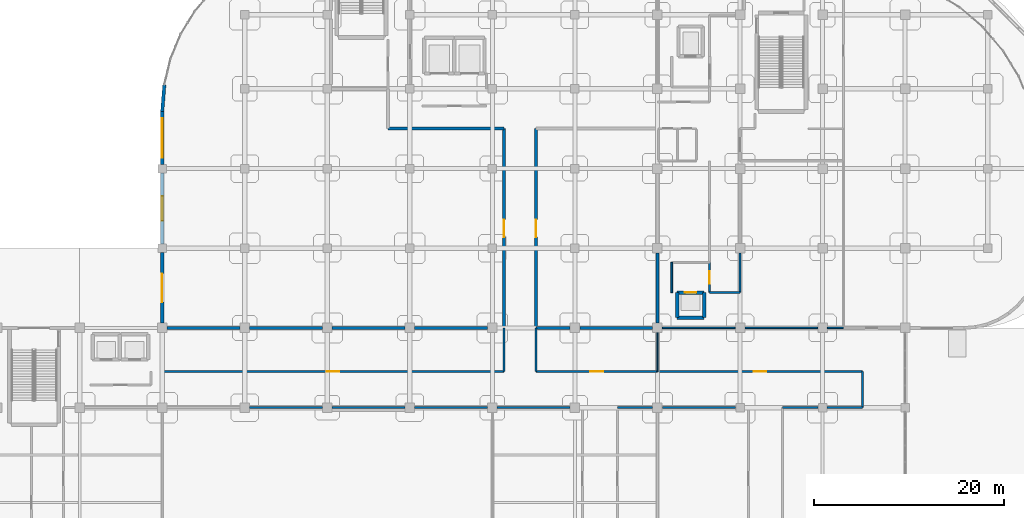
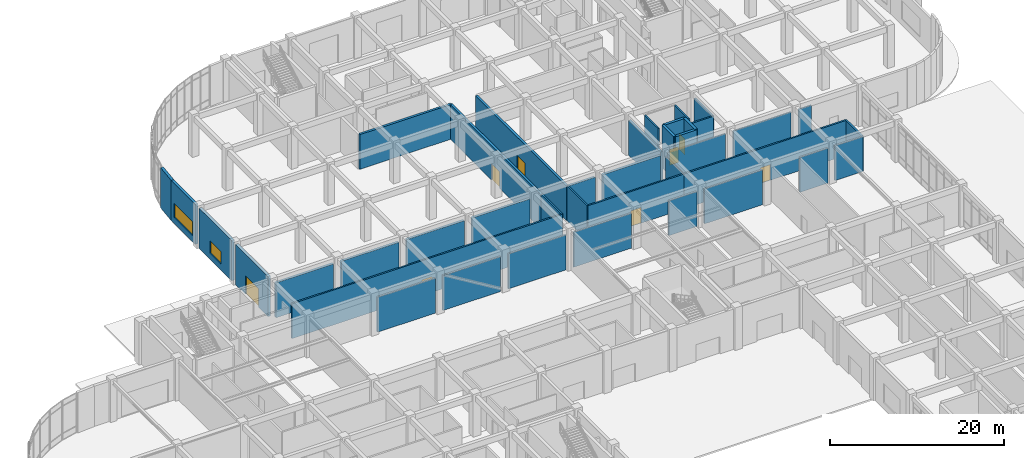
# One storey, part 66 of 82: 40 walls, 8 doors, 2 windows, 10 openings.
"""IFC4 building model written with IfcOpenShell, lengths in metres."""

import ifcopenshell
import ifcopenshell.guid

model = None  # the IFC model being written
_history = None  # IfcOwnerHistory: only IFC2X3 demands one
_inside = {}  # id of a spatial element -> (the spatial element, [elements in it])
_under = {}  # id of a project, library or spatial element -> (it, [spatial elements below it])
_declared = {}  # id of a project -> (the project, [libraries it declares])
_typed = {}  # id of a type object -> (the type object, [elements of that type])
_made_of = {}  # id of a material, layer set ... -> (it, [elements and type objects made of it])


def new_model(schema):
    """Start an empty IFC model of exactly this schema.

    Asked for "IFC4X3", IfcOpenShell would pick the latest addendum, in which some entities
    have other attributes; the version numbers below select the first issue.
    IFC2X3 requires an IfcOwnerHistory on every rooted entity: one is made here for all.
    """
    global model, _history
    if schema == "IFC4X3":
        model = ifcopenshell.file(schema_version=(4, 3, 0, 0))
    else:
        model = ifcopenshell.file(schema=schema)
    _inside.clear()
    _under.clear()
    _declared.clear()
    _typed.clear()
    _made_of.clear()
    _history = None
    if model.schema == "IFC2X3":
        org = make("IfcOrganization", Name="unknown")
        user = make(
            "IfcPersonAndOrganization",
            ThePerson=make("IfcPerson", FamilyName="unknown"),
            TheOrganization=org,
        )
        app = make(
            "IfcApplication",
            ApplicationDeveloper=org,
            Version="unknown",
            ApplicationFullName="unknown",
            ApplicationIdentifier="unknown",
        )
        _history = make(
            "IfcOwnerHistory",
            OwningUser=user,
            OwningApplication=app,
            ChangeAction="ADDED",
            CreationDate=0,
        )
    return model


def make(cls, **values):
    """One entity of the class cls with the attributes given. An attribute that is None is left unset."""
    return model.create_entity(
        cls, **{name: value for name, value in values.items() if value is not None}
    )


def rooted(cls, **values):
    """An entity with a GlobalId (a new one), such as an element, a storey or a relation."""
    return make(cls, GlobalId=ifcopenshell.guid.new(), OwnerHistory=_history, **values)


def si_unit(unit_type, name, prefix=None):
    """IfcSIUnit, for example si_unit("LENGTHUNIT", "METRE", prefix="MILLI")."""
    return make("IfcSIUnit", UnitType=unit_type, Prefix=prefix, Name=name)


def derived_unit(unit_type, elements):
    """IfcDerivedUnit: a product of units, each with its exponent."""
    return make(
        "IfcDerivedUnit",
        Elements=[
            make("IfcDerivedUnitElement", Unit=unit, Exponent=power)
            for unit, power in elements
        ],
        UnitType=unit_type,
    )


def assignment(units):
    """IfcUnitAssignment: the units of a project."""
    return None if units is None else make("IfcUnitAssignment", Units=units)


def point(xyz):
    """IfcCartesianPoint."""
    return None if xyz is None else make("IfcCartesianPoint", Coordinates=xyz)


def direction(xyz):
    """IfcDirection."""
    return None if xyz is None else make("IfcDirection", DirectionRatios=xyz)


def frame(location, z_axis=None, x_axis=None):
    """IfcAxis2Placement3D, a coordinate frame: its origin and axes. An axis left out is left unset."""
    return make(
        "IfcAxis2Placement3D",
        Location=point(location),
        Axis=direction(z_axis),
        RefDirection=direction(x_axis),
    )


def frame_2d(location, x_axis=None):
    """IfcAxis2Placement2D, a coordinate frame in the plane: its origin and x axis."""
    return make(
        "IfcAxis2Placement2D", Location=point(location), RefDirection=direction(x_axis)
    )


def origin():
    """The frame at (0, 0, 0) with its axes left unset."""
    return frame((0.0, 0.0, 0.0))


def place(relative_to, where):
    """IfcLocalPlacement: puts the frame where relative to a parent placement (None: the world)."""
    return make(
        "IfcLocalPlacement", PlacementRelTo=relative_to, RelativePlacement=where
    )


def context(
    kind, dimensions, precision=None, world=None, true_north=None, identifier=None
):
    """IfcGeometricRepresentationContext, for example the 3D "Model" context."""
    return make(
        "IfcGeometricRepresentationContext",
        ContextIdentifier=identifier,
        ContextType=kind,
        CoordinateSpaceDimension=dimensions,
        Precision=precision,
        WorldCoordinateSystem=world,
        TrueNorth=true_north,
    )


def subcontext(parent, identifier, kind, view, scale=None):
    """IfcGeometricRepresentationSubContext, for example "Body" below "Model"."""
    return make(
        "IfcGeometricRepresentationSubContext",
        ContextIdentifier=identifier,
        ContextType=kind,
        ParentContext=parent,
        TargetScale=scale,
        TargetView=view,
    )


def project(units=None, contexts=None):
    """IfcProject with its units and contexts."""
    return rooted(
        "IfcProject",
        Name="project",
        RepresentationContexts=contexts,
        UnitsInContext=assignment(units),
    )


def spatial(cls, under=None, at=None, **own):
    """A site, building, storey or space (cls), placed at a placement, below another one or the project."""
    s = rooted(cls, ObjectPlacement=at, **own)
    if under is not None:
        _under.setdefault(under.id(), (under, []))[1].append(s)
    return s


def profile(cls, at=None, kind="AREA", **sizes):
    """A parametric profile (cls). Its sizes go by their IFC names, for example OverallWidth=200.0."""
    return make(cls, ProfileType=kind, Position=at, **sizes)


def rectangle(**sizes):
    """IfcRectangleProfileDef."""
    return profile("IfcRectangleProfileDef", **sizes)


def extrude(swept, where, along, depth):
    """IfcExtrudedAreaSolid: the profile swept, set in the frame where, extruded along a direction by depth."""
    return make(
        "IfcExtrudedAreaSolid",
        SweptArea=swept,
        Position=where,
        ExtrudedDirection=direction(along),
        Depth=depth,
    )


def shape(context_of_items, identifier, shape_type, items):
    """IfcShapeRepresentation: the items that make up one representation, for example the "Body"."""
    return make(
        "IfcShapeRepresentation",
        ContextOfItems=context_of_items,
        RepresentationIdentifier=identifier,
        RepresentationType=shape_type,
        Items=items,
    )


def material(Name=None, Category=None):
    """IfcMaterial."""
    return make("IfcMaterial", Name=Name, Category=Category)


def layer(
    of_material, thickness, ventilated=None, Name=None, Category=None, Priority=None
):
    """IfcMaterialLayer: one layer of a wall or slab, of a material (None: an air gap)."""
    return make(
        "IfcMaterialLayer",
        Material=of_material,
        LayerThickness=thickness,
        IsVentilated=ventilated,
        Name=Name,
        Category=Category,
        Priority=Priority,
    )


def layer_set(layers, Name=None):
    """IfcMaterialLayerSet."""
    return make("IfcMaterialLayerSet", MaterialLayers=layers, LayerSetName=Name)


def made_of(thing, what):
    """Note that an element or type object is made of a material, layer set ...; save() writes the relation."""
    if what is not None:
        _made_of.setdefault(what.id(), (what, []))[1].append(thing)
    return thing


def type_object(cls, material=None, **own):
    """A type object (cls), such as IfcWallType, which elements share."""
    return made_of(rooted(cls, **own), material)


def element(
    cls,
    number,
    at=None,
    inside=None,
    cuts=None,
    type_object=None,
    material=None,
    context=None,
    identifier="Body",
    shape_type=None,
    held_by="IfcProductDefinitionShape",
    body=None,
    shapes=None,
    **own,
):
    """One element of the class cls, such as IfcWall. Its Tag is "e" and its number.

    at: its placement. inside: the storey or other place that contains it. cuts: it is an
    opening in that element (IfcRelVoidsElement). A single representation is given by context,
    identifier, shape_type and body (its items); several are given by shapes. held_by: the class
    of the entity that holds the representations. save() writes the other relations.
    """
    e = rooted(cls, Tag="e%d" % number, ObjectPlacement=at, **own)
    if body is not None:
        shapes = [shape(context, identifier, shape_type, body)]
    if shapes is not None:
        e.Representation = make(held_by, Representations=shapes)
    if inside is not None:
        _inside.setdefault(inside.id(), (inside, []))[1].append(e)
    if cuts is not None:
        rooted(
            "IfcRelVoidsElement", RelatingBuildingElement=cuts, RelatedOpeningElement=e
        )
    if type_object is not None:
        _typed.setdefault(type_object.id(), (type_object, []))[1].append(e)
    return made_of(e, material)


def fill(opening, filler):
    """IfcRelFillsElement: the door or window that sits in an opening."""
    return rooted(
        "IfcRelFillsElement",
        RelatingOpeningElement=opening,
        RelatedBuildingElement=filler,
    )


def aggregate(whole, parts):
    """IfcRelAggregates: a whole, such as a stair, and the parts it consists of."""
    return rooted("IfcRelAggregates", RelatingObject=whole, RelatedObjects=parts)


def save(model, path):
    """Write the relations noted so far, then the file.

    IfcRelAggregates (storeys below a building ...), IfcRelContainedInSpatialStructure (elements
    in a storey), IfcRelDefinesByType, IfcRelAssociatesMaterial and IfcRelDeclares: one each for
    every whole, place, type object, material and project.
    """
    for whole, parts in _under.values():
        aggregate(whole, parts)
    for where, things in _inside.values():
        rooted(
            "IfcRelContainedInSpatialStructure",
            RelatedElements=things,
            RelatingStructure=where,
        )
    for kind, things in _typed.values():
        rooted("IfcRelDefinesByType", RelatedObjects=things, RelatingType=kind)
    for what, things in _made_of.values():
        rooted("IfcRelAssociatesMaterial", RelatedObjects=things, RelatingMaterial=what)
    for by, libraries in _declared.values():
        rooted("IfcRelDeclares", RelatingContext=by, RelatedDefinitions=libraries)
    model.write(path)


model = new_model("IFC4")

# Units and contexts
model_context = context("Model", 3, precision=1e-05, world=origin(), true_north=direction((0.0, 1.0)))
body_context = subcontext(model_context, "Body", "Model", "MODEL_VIEW")
ifc_project = project(units=[si_unit("LENGTHUNIT", "METRE"), si_unit("AREAUNIT", "SQUARE_METRE"), si_unit("VOLUMEUNIT", "CUBIC_METRE"), si_unit("PLANEANGLEUNIT", "RADIAN"), si_unit("MASSUNIT", "GRAM", prefix="KILO"), derived_unit("THERMALTRANSMITTANCEUNIT", [(si_unit("MASSUNIT", "GRAM", prefix="KILO"), 1), (si_unit("TIMEUNIT", "SECOND"), -3), (si_unit("THERMODYNAMICTEMPERATUREUNIT", "KELVIN"), -1)])], contexts=[model_context])

# Site, building, storey
site_placement = place(None, origin())
site = spatial("IfcSite", under=ifc_project, at=site_placement, CompositionType="ELEMENT")
building_placement = place(site_placement, origin())
building = spatial("IfcBuilding", under=site, at=building_placement, Name="Qinzheling Arcade Emporium", CompositionType="ELEMENT")
storey_placement = place(building_placement, origin())
storey = spatial("IfcBuildingStorey", under=building, at=storey_placement, Name="L01", CompositionType="ELEMENT", Elevation=0.0)

# Wall, opening, door
ifc_material_1 = material(Name="Double-stud acoustic gypsum board partition")
ifc_layer_1 = layer(ifc_material_1, 0.215087890625, Name="Double-stud acoustic gypsum board partition")
ifc_layer_set_1 = layer_set([ifc_layer_1], Name="Double-stud acoustic gypsum board partition")
wall_type_1 = type_object("IfcWallType", Name="Acoustic Corridor Partition Wall 215", PredefinedType="PARTITIONING", material=ifc_layer_set_1)
wall_1_placement = place(storey_placement, frame((109.89990234375, 80.699951171875, 0.0), z_axis=(0.0, 0.0, 1.0), x_axis=(0.0, -1.0, 0.0)))
wall_1 = element("IfcWall", 1, at=wall_1_placement, inside=storey, type_object=wall_type_1, Name="Interior Wall WL-L01-INT-0101", PredefinedType="PARTITIONING", context=body_context, shape_type="SweptSolid", body=[
    extrude(rectangle(XDim=3.169921875, YDim=0.215087890625, at=frame_2d((1.5849609375, 0.0))), origin(), (0.0, 0.0, 1.0), 5.659912109375),
])
opening_1_placement = place(wall_1_placement, frame((0.909912109375, 0.0, 0.0)))
opening_1 = element("IfcOpeningElement", 2, at=opening_1_placement, cuts=wall_1, Name="Opening FD05", PredefinedType="OPENING", context=body_context, shape_type="SweptSolid", body=[
    extrude(rectangle(XDim=1.35009765625, YDim=2.199951171875, at=frame_2d((0.675048828125, 1.10009765625))), frame((0.0, 0.11767578125, 0.0), z_axis=(0.0, -1.0, 0.0), x_axis=(1.0, 0.0, 0.0)), (0.0, 0.0, 1.0), 0.235107421875),
])
ifc_material_2 = material(Name="Class B fire-rated stainless-clad door")
door_type_1 = type_object("IfcDoorType", Name="Kitchen Fire-Rated Service Door 1350x2200", OperationType="NOTDEFINED", PredefinedType="DOOR", material=ifc_material_2)
door_1_placement = place(opening_1_placement, origin())
door_1 = element("IfcDoor", 3, at=door_1_placement, inside=storey, type_object=door_type_1, Name="FD05 Interior Door DR-L01-INT-0031", OperationType="SINGLE_SWING_LEFT", OverallHeight=2.199951171875, OverallWidth=1.35009765625, PredefinedType="DOOR", context=body_context, shape_type="SweptSolid", body=[
    extrude(rectangle(XDim=1.35009765625, YDim=2.199951171875, at=frame_2d((0.675048828125, 1.10009765625))), frame((0.0, 0.02490234375, 0.0), z_axis=(0.0, -1.0, 0.0), x_axis=(1.0, 0.0, 0.0)), (0.0, 0.0, 1.0), 0.050048828125),
])
fill(opening_1, door_1)

# Walls
for number, where, z_axis, x_axis, name in (
    (4, (86.489990234375, 65.39990234375, 0.0), (0.0, 0.0, 1.0), (-1.0, 0.0, 0.0), "Interior Wall WL-L01-INT-0147"),
    (5, (77.7900390625, 65.39990234375, 0.0), (0.0, 0.0, 1.0), (-1.0, 0.0, 0.0), "Interior Wall WL-L01-INT-0148"),
):
    element("IfcWall", number, at=place(storey_placement, frame(where, z_axis=z_axis, x_axis=x_axis)), inside=storey, type_object=wall_type_1, Name=name, PredefinedType="PARTITIONING", context=body_context, shape_type="SweptSolid", body=[
        extrude(rectangle(XDim=7.679931640625, YDim=0.215087890625, at=frame_2d((3.83984375, 0.0))), origin(), (0.0, 0.0, 1.0), 4.909912109375),
    ])
wall_2_placement = place(storey_placement, frame((69.090087890625, 65.39990234375, 0.0), z_axis=(0.0, 0.0, 1.0), x_axis=(-1.0, 0.0, 0.0)))
element("IfcWall", 6, at=wall_2_placement, inside=storey, type_object=wall_type_1, Name="Interior Wall WL-L01-INT-0149", PredefinedType="PARTITIONING", context=body_context, shape_type="SweptSolid", body=[
    extrude(rectangle(XDim=7.68017578125, YDim=0.215087890625, at=frame_2d((3.840087890625, 0.0))), origin(), (0.0, 0.0, 1.0), 4.909912109375),
])
wall_3_placement = place(storey_placement, frame((91.60009765625, 73.800048828125, 0.0), z_axis=(0.0, 0.0, 1.0), x_axis=(0.0, -1.0, 0.0)))
element("IfcWall", 7, at=wall_3_placement, inside=storey, type_object=wall_type_1, Name="Interior Wall WL-L01-INT-0164", PredefinedType="PARTITIONING", context=body_context, shape_type="SweptSolid", body=[
    extrude(rectangle(XDim=4.60009765625, YDim=0.215087890625, at=frame_2d((2.300048828125, 0.0))), origin(), (0.0, 0.0, 1.0), 4.909912109375),
])

# Wall, opening, door
wall_4_placement = place(storey_placement, frame((91.60009765625, 69.199951171875, 0.0), z_axis=(0.0, 0.0, 1.0), x_axis=(1.0, 0.0, 0.0)))
wall_4 = element("IfcWall", 8, at=wall_4_placement, inside=storey, type_object=wall_type_1, Name="Interior Wall WL-L01-INT-0165", PredefinedType="PARTITIONING", context=body_context, shape_type="SweptSolid", body=[
    extrude(rectangle(XDim=12.7998046875, YDim=0.215087890625, at=frame_2d((6.39990234375, 0.0))), origin(), (0.0, 0.0, 1.0), 4.909912109375),
])
opening_2_placement = place(wall_4_placement, frame((5.72509765625, 0.0, 0.0)))
opening_2 = element("IfcOpeningElement", 9, at=opening_2_placement, cuts=wall_4, Name="Opening FD05", PredefinedType="OPENING", context=body_context, shape_type="SweptSolid", body=[
    extrude(rectangle(XDim=1.35009765625, YDim=2.199951171875, at=frame_2d((0.675048828125, 1.10009765625))), frame((0.0, 0.11767578125, 0.0), z_axis=(0.0, -1.0, 0.0), x_axis=(1.0, 0.0, 0.0)), (0.0, 0.0, 1.0), 0.235107421875),
])
door_2_placement = place(opening_2_placement, origin())
door_2 = element("IfcDoor", 10, at=door_2_placement, inside=storey, type_object=door_type_1, Name="FD05 Interior Door DR-L01-INT-0051", OperationType="SINGLE_SWING_RIGHT", OverallHeight=2.199951171875, OverallWidth=1.35009765625, PredefinedType="DOOR", context=body_context, shape_type="SweptSolid", body=[
    extrude(rectangle(XDim=1.35009765625, YDim=2.199951171875, at=frame_2d((0.675048828125, 1.10009765625))), frame((0.0, 0.02490234375, 0.0), z_axis=(0.0, -1.0, 0.0), x_axis=(1.0, 0.0, 0.0)), (0.0, 0.0, 1.0), 0.050048828125),
])
fill(opening_2, door_2)

wall_5_placement = place(storey_placement, frame((52.199951171875, 69.199951171875, 0.0), z_axis=(0.0, 0.0, 1.0), x_axis=(1.0, 0.0, 0.0)))
wall_5 = element("IfcWall", 11, at=wall_5_placement, inside=storey, type_object=wall_type_1, Name="Interior Wall WL-L01-INT-0166", PredefinedType="PARTITIONING", context=body_context, shape_type="SweptSolid", body=[
    extrude(rectangle(XDim=36.0, YDim=0.215087890625, at=frame_2d((18.0, 0.0))), origin(), (0.0, 0.0, 1.0), 4.909912109375),
])
opening_3_placement = place(wall_5_placement, frame((17.324951171875, 0.0, 0.0)))
opening_3 = element("IfcOpeningElement", 12, at=opening_3_placement, cuts=wall_5, Name="Opening FD05", PredefinedType="OPENING", context=body_context, shape_type="SweptSolid", body=[
    extrude(rectangle(XDim=1.35009765625, YDim=2.199951171875, at=frame_2d((0.675048828125, 1.10009765625))), frame((0.0, 0.11767578125, 0.0), z_axis=(0.0, -1.0, 0.0), x_axis=(1.0, 0.0, 0.0)), (0.0, 0.0, 1.0), 0.235107421875),
])
door_3_placement = place(opening_3_placement, origin())
door_3 = element("IfcDoor", 13, at=door_3_placement, inside=storey, type_object=door_type_1, Name="FD05 Interior Door DR-L01-INT-0052", OperationType="SINGLE_SWING_LEFT", OverallHeight=2.199951171875, OverallWidth=1.35009765625, PredefinedType="DOOR", context=body_context, shape_type="SweptSolid", body=[
    extrude(rectangle(XDim=1.35009765625, YDim=2.199951171875, at=frame_2d((0.675048828125, 1.10009765625))), frame((0.0, 0.02490234375, 0.0), z_axis=(0.0, -1.0, 0.0), x_axis=(1.0, 0.0, 0.0)), (0.0, 0.0, 1.0), 0.050048828125),
])
fill(opening_3, door_3)

# Walls
wall_6_placement = place(storey_placement, frame((88.199951171875, 69.199951171875, 0.0), z_axis=(0.0, 0.0, 1.0), x_axis=(0.0, 1.0, 0.0)))
element("IfcWall", 14, at=wall_6_placement, inside=storey, type_object=wall_type_1, Name="Interior Wall WL-L01-INT-0167", PredefinedType="PARTITIONING", context=body_context, shape_type="SweptSolid", body=[
    extrude(rectangle(XDim=4.60009765625, YDim=0.215087890625, at=frame_2d((2.300048828125, 0.0))), origin(), (0.0, 0.0, 1.0), 4.909912109375),
])
wall_7_placement = place(storey_placement, frame((103.889892578125, 65.39990234375, 0.0), z_axis=(0.0, 0.0, 1.0), x_axis=(-1.0, 0.0, 0.0)))
element("IfcWall", 15, at=wall_7_placement, inside=storey, type_object=wall_type_1, Name="Interior Wall WL-L01-INT-0168", PredefinedType="PARTITIONING", context=body_context, shape_type="SweptSolid", body=[
    extrude(rectangle(XDim=3.68994140625, YDim=0.215087890625, at=frame_2d((1.844970703125, 0.0))), origin(), (0.0, 0.0, 1.0), 4.909912109375),
])
wall_8_placement = place(storey_placement, frame((95.18994140625, 65.39990234375, 0.0), z_axis=(0.0, 0.0, 1.0), x_axis=(-1.0, 0.0, 0.0)))
element("IfcWall", 16, at=wall_8_placement, inside=storey, type_object=wall_type_1, Name="Interior Wall WL-L01-INT-0173", PredefinedType="PARTITIONING", context=body_context, shape_type="SweptSolid", body=[
    extrude(rectangle(XDim=7.679931640625, YDim=0.215087890625, at=frame_2d((3.83984375, 0.0))), origin(), (0.0, 0.0, 1.0), 4.909912109375),
])

# Wall, opening, door
wall_9_placement = place(storey_placement, frame((104.39990234375, 69.199951171875, 0.0), z_axis=(0.0, 0.0, 1.0), x_axis=(1.0, 0.0, 0.0)))
wall_9 = element("IfcWall", 17, at=wall_9_placement, inside=storey, type_object=wall_type_1, Name="Interior Wall WL-L01-INT-0184", PredefinedType="PARTITIONING", context=body_context, shape_type="SweptSolid", body=[
    extrude(rectangle(XDim=21.60009765625, YDim=0.215087890625, at=frame_2d((10.800048828125, 0.0))), origin(), (0.0, 0.0, 1.0), 4.909912109375),
])
opening_4_placement = place(wall_9_placement, frame((10.125, 0.0, 0.0)))
opening_4 = element("IfcOpeningElement", 18, at=opening_4_placement, cuts=wall_9, Name="Opening FD05", PredefinedType="OPENING", context=body_context, shape_type="SweptSolid", body=[
    extrude(rectangle(XDim=1.35009765625, YDim=2.199951171875, at=frame_2d((0.675048828125, 1.10009765625))), frame((0.0, 0.11767578125, 0.0), z_axis=(0.0, -1.0, 0.0), x_axis=(1.0, 0.0, 0.0)), (0.0, 0.0, 1.0), 0.235107421875),
])
door_4_placement = place(opening_4_placement, origin())
door_4 = element("IfcDoor", 19, at=door_4_placement, inside=storey, type_object=door_type_1, Name="FD05 Interior Door DR-L01-INT-0059", OperationType="SINGLE_SWING_RIGHT", OverallHeight=2.199951171875, OverallWidth=1.35009765625, PredefinedType="DOOR", context=body_context, shape_type="SweptSolid", body=[
    extrude(rectangle(XDim=1.35009765625, YDim=2.199951171875, at=frame_2d((0.675048828125, 1.10009765625))), frame((0.0, 0.02490234375, 0.0), z_axis=(0.0, -1.0, 0.0), x_axis=(1.0, 0.0, 0.0)), (0.0, 0.0, 1.0), 0.050048828125),
])
fill(opening_4, door_4)

# Walls
wall_10_placement = place(storey_placement, frame((126.0, 69.199951171875, 0.0), z_axis=(0.0, 0.0, 1.0), x_axis=(0.0, -1.0, 0.0)))
element("IfcWall", 20, at=wall_10_placement, inside=storey, type_object=wall_type_1, Name="Interior Wall WL-L01-INT-0185", PredefinedType="PARTITIONING", context=body_context, shape_type="SweptSolid", body=[
    extrude(rectangle(XDim=3.800048828125, YDim=0.215087890625, at=frame_2d((1.89990234375, 0.0))), origin(), (0.0, 0.0, 1.0), 4.909912109375),
])
for number, where, z_axis, x_axis, name in (
    (21, (126.0, 65.39990234375, 0.0), (0.0, 0.0, 1.0), (-1.0, 0.0, 0.0), "Interior Wall WL-L01-INT-0186"),
    (22, (121.340087890625, 65.39990234375, 0.0), (0.0, 0.0, 1.0), (-1.0, 0.0, 0.0), "Interior Wall WL-L01-INT-0187"),
):
    element("IfcWall", number, at=place(storey_placement, frame(where, z_axis=z_axis, x_axis=x_axis)), inside=storey, type_object=wall_type_1, Name=name, PredefinedType="PARTITIONING", context=body_context, shape_type="SweptSolid", body=[
        extrude(rectangle(XDim=3.739990234375, YDim=0.215087890625, at=frame_2d((1.8701171875, 0.0))), origin(), (0.0, 0.0, 1.0), 4.909912109375),
    ])
wall_11_placement = place(storey_placement, frame((112.639892578125, 65.39990234375, 0.0), z_axis=(0.0, 0.0, 1.0), x_axis=(-1.0, 0.0, 0.0)))
element("IfcWall", 23, at=wall_11_placement, inside=storey, type_object=wall_type_1, Name="Interior Wall WL-L01-INT-0193", PredefinedType="PARTITIONING", context=body_context, shape_type="SweptSolid", body=[
    extrude(rectangle(XDim=7.72998046875, YDim=0.215087890625, at=frame_2d((3.864990234375, 0.0))), origin(), (0.0, 0.0, 1.0), 4.909912109375),
])
wall_12_placement = place(storey_placement, frame((113.10009765625, 81.68994140625, 0.0), z_axis=(0.0, 0.0, 1.0), x_axis=(0.0, -1.0, 0.0)))
element("IfcWall", 24, at=wall_12_placement, inside=storey, type_object=wall_type_1, Name="Interior Wall WL-L01-INT-0206", PredefinedType="PARTITIONING", context=body_context, shape_type="SweptSolid", body=[
    extrude(rectangle(XDim=4.159912109375, YDim=0.215087890625, at=frame_2d((2.080078125, 0.0))), origin(), (0.0, 0.0, 1.0), 4.925048828125),
])
wall_13_placement = place(storey_placement, frame((113.10009765625, 77.530029296875, 0.0), z_axis=(0.0, 0.0, 1.0), x_axis=(-1.0, 0.0, 0.0)))
element("IfcWall", 25, at=wall_13_placement, inside=storey, type_object=wall_type_1, Name="Interior Wall WL-L01-INT-0207", PredefinedType="PARTITIONING", context=body_context, shape_type="SweptSolid", body=[
    extrude(rectangle(XDim=3.2001953125, YDim=0.215087890625, at=frame_2d((1.60009765625, 0.0))), origin(), (0.0, 0.0, 1.0), 4.925048828125),
])
ifc_material_3 = material(Name="Lightweight atelier partition")
ifc_layer_2 = layer(ifc_material_3, 0.14990234375, Name="Lightweight atelier partition")
ifc_layer_set_2 = layer_set([ifc_layer_2], Name="Lightweight atelier partition")
wall_type_2 = type_object("IfcWallType", Name="Atelier Partition Wall 150", PredefinedType="PARTITIONING", material=ifc_layer_set_2)
wall_14_placement = place(storey_placement, frame((104.909912109375, 73.800048828125, 0.0), z_axis=(0.0, 0.0, 1.0), x_axis=(1.0, 0.0, 0.0)))
element("IfcWall", 26, at=wall_14_placement, inside=storey, type_object=wall_type_2, Name="Interior Wall WL-L01-INT-0251", PredefinedType="PARTITIONING", context=body_context, shape_type="SweptSolid", body=[
    extrude(rectangle(XDim=7.68017578125, YDim=0.14990234375, at=frame_2d((3.840087890625, 0.0))), origin(), (0.0, 0.0, 1.0), 4.909912109375),
])
wall_15_placement = place(storey_placement, frame((113.610107421875, 73.800048828125, 0.0), z_axis=(0.0, 0.0, 1.0), x_axis=(1.0, 0.0, 0.0)))
element("IfcWall", 27, at=wall_15_placement, inside=storey, type_object=wall_type_2, Name="Interior Wall WL-L01-INT-0252", PredefinedType="PARTITIONING", context=body_context, shape_type="SweptSolid", body=[
    extrude(rectangle(XDim=7.679931640625, YDim=0.14990234375, at=frame_2d((3.83984375, 0.0))), origin(), (0.0, 0.0, 1.0), 4.909912109375),
])
wall_16_placement = place(storey_placement, frame((122.31005859375, 73.800048828125, 0.0), z_axis=(0.0, 0.0, 1.0), x_axis=(1.0, 0.0, 0.0)))
element("IfcWall", 28, at=wall_16_placement, inside=storey, type_object=wall_type_2, Name="Interior Wall WL-L01-INT-0253", PredefinedType="PARTITIONING", context=body_context, shape_type="SweptSolid", body=[
    extrude(rectangle(XDim=1.68994140625, YDim=0.14990234375, at=frame_2d((0.844970703125, 0.0))), origin(), (0.0, 0.0, 1.0), 4.909912109375),
])
ifc_material_4 = material(Name="Glazed-transom steel-stud office partition", Category="steel")
ifc_layer_3 = layer(ifc_material_4, 0.135009765625, Name="Glazed-transom steel-stud office partition", Category="steel")
ifc_layer_set_3 = layer_set([ifc_layer_3], Name="Glazed-transom steel-stud office partition")
wall_type_3 = type_object("IfcWallType", Name="Buying Office Acoustic Partition Wall 135", PredefinedType="PARTITIONING", material=ifc_layer_set_3)
wall_17_placement = place(storey_placement, frame((104.39990234375, 73.2900390625, 0.0), z_axis=(0.0, 0.0, 1.0), x_axis=(0.0, -1.0, 0.0)))
element("IfcWall", 29, at=wall_17_placement, inside=storey, type_object=wall_type_3, Name="Interior Wall WL-L01-INT-0234", PredefinedType="PARTITIONING", context=body_context, shape_type="SweptSolid", body=[
    extrude(rectangle(XDim=4.090087890625, YDim=0.135009765625, at=frame_2d((2.044921875, 0.0))), origin(), (0.0, 0.0, 1.0), 4.909912109375),
])

# Wall, opening, door
ifc_material_5 = material(Name="Fluted granite ashlar on Concrete C40", Category="masonry")
ifc_layer_4 = layer(ifc_material_5, 0.35009765625, Name="Fluted granite ashlar on Concrete C40", Category="masonry")
ifc_layer_set_4 = layer_set([ifc_layer_4], Name="Fluted granite ashlar on Concrete C40")
wall_type_4 = type_object("IfcWallType", Name="Fluted Granite Logistics Wall 350", PredefinedType="STANDARD", material=ifc_layer_set_4)
wall_18_placement = place(storey_placement, frame((52.199951171875, 74.302001953125, 0.0), z_axis=(0.0, 0.0, 1.0), x_axis=(0.0, 1.0, 0.0)))
wall_18 = element("IfcWall", 30, at=wall_18_placement, inside=storey, type_object=wall_type_4, Name="Exterior Wall WL-L01-EW-0050", PredefinedType="STANDARD", context=body_context, shape_type="SweptSolid", body=[
    extrude(rectangle(XDim=7.446044921875, YDim=0.35009765625, at=frame_2d((3.72314453125, 0.0))), origin(), (0.0, 0.0, 1.0), 5.659912109375),
])
opening_5_placement = place(wall_18_placement, frame((2.222900390625, 0.0, 0.0)))
opening_5 = element("IfcOpeningElement", 31, at=opening_5_placement, cuts=wall_18, Name="Opening E03", PredefinedType="OPENING", context=body_context, shape_type="SweptSolid", body=[
    extrude(rectangle(XDim=3.0, YDim=2.60009765625, at=frame_2d((1.5, 1.300048828125))), frame((0.0, 0.18505859375, 0.0), z_axis=(0.0, -1.0, 0.0), x_axis=(1.0, 0.0, 0.0)), (0.0, 0.0, 1.0), 0.3701171875),
])
ifc_material_6 = material(Name="Anodised aluminium and tempered glass", Category="aluminium")
door_type_2 = type_object("IfcDoorType", Name="Boulevard Retail Entrance Door 3000x2600", OperationType="DOUBLE_DOOR_SINGLE_SWING", PredefinedType="DOOR", material=ifc_material_6)
door_5_placement = place(opening_5_placement, origin())
door_5 = element("IfcDoor", 32, at=door_5_placement, inside=storey, type_object=door_type_2, Name="E03 Exterior Door DR-L01-EXT-023", OperationType="DOUBLE_DOOR_SINGLE_SWING", OverallHeight=2.60009765625, OverallWidth=3.0, PredefinedType="DOOR", context=body_context, shape_type="SweptSolid", body=[
    extrude(rectangle(XDim=3.0, YDim=2.60009765625, at=frame_2d((1.5, 1.300048828125))), frame((0.0, 0.02490234375, 0.0), z_axis=(0.0, -1.0, 0.0), x_axis=(1.0, 0.0, 0.0)), (0.0, 0.0, 1.0), 0.050048828125),
])
fill(opening_5, door_5)

# Wall, opening, window
wall_19_placement = place(storey_placement, frame((52.199951171875, 82.652099609375, 0.0), z_axis=(0.0, 0.0, 1.0), x_axis=(0.0, 1.0, 0.0)))
wall_19 = element("IfcWall", 33, at=wall_19_placement, inside=storey, type_object=wall_type_4, Name="Exterior Wall WL-L01-EW-0051", PredefinedType="STANDARD", context=body_context, shape_type="SweptSolid", body=[
    extrude(rectangle(XDim=7.495849609375, YDim=0.35009765625, at=frame_2d((3.748046875, 0.0))), origin(), (0.0, 0.0, 1.0), 5.659912109375),
])
opening_6_placement = place(wall_19_placement, frame((2.447998046875, 0.0, 0.85009765625)))
opening_6 = element("IfcOpeningElement", 34, at=opening_6_placement, cuts=wall_19, Name="Opening WN52", PredefinedType="OPENING", context=body_context, shape_type="SweptSolid", body=[
    extrude(rectangle(XDim=2.60009765625, YDim=1.75, at=frame_2d((1.300048828125, 0.875))), frame((0.0, 0.18505859375, 0.0), z_axis=(0.0, -1.0, 0.0), x_axis=(1.0, 0.0, 0.0)), (0.0, 0.0, 1.0), 0.3701171875),
])
ifc_material_7 = material(Name="Thermally broken aluminium frame with solar-control double glazing", Category="aluminium")
window_type_1 = type_object("IfcWindowType", Name="Chicago Tripartite Window 2600x1750", PartitioningType="TRIPLE_PANEL_VERTICAL", PredefinedType="WINDOW", material=ifc_material_7)
window_1_placement = place(opening_6_placement, origin())
window_1 = element("IfcWindow", 35, at=window_1_placement, inside=storey, type_object=window_type_1, Name="WN52 Window WN-L01-0008", OverallHeight=1.75, OverallWidth=2.60009765625, PartitioningType="TRIPLE_PANEL_VERTICAL", PredefinedType="WINDOW", context=body_context, shape_type="SweptSolid", body=[
    extrude(rectangle(XDim=2.60009765625, YDim=1.75, at=frame_2d((1.300048828125, 0.875))), frame((0.0, 0.030029296875, 0.0), z_axis=(0.0, -1.0, 0.0), x_axis=(1.0, 0.0, 0.0)), (0.0, 0.0, 1.0), 0.06005859375),
])
fill(opening_6, window_1)

wall_20_placement = place(storey_placement, frame((52.199951171875, 91.052001953125, 0.0), z_axis=(0.0, 0.0, 1.0), x_axis=(0.0, 1.0, 0.0)))
wall_20 = element("IfcWall", 36, at=wall_20_placement, inside=storey, type_object=wall_type_4, Name="Exterior Wall WL-L01-EW-0052", PredefinedType="STANDARD", context=body_context, shape_type="SweptSolid", body=[
    extrude(rectangle(XDim=5.548095703125, YDim=0.35009765625, at=frame_2d((2.77392578125, 0.0))), origin(), (0.0, 0.0, 1.0), 5.659912109375),
])
opening_7_placement = place(wall_20_placement, frame((0.674072265625, 0.0, 0.85009765625)))
opening_7 = element("IfcOpeningElement", 37, at=opening_7_placement, cuts=wall_20, Name="Opening WN13", PredefinedType="OPENING", context=body_context, shape_type="SweptSolid", body=[
    extrude(rectangle(XDim=4.199951171875, YDim=2.0, at=frame_2d((2.10009765625, 1.0))), frame((0.0, 0.18505859375, 0.0), z_axis=(0.0, -1.0, 0.0), x_axis=(1.0, 0.0, 0.0)), (0.0, 0.0, 1.0), 0.3701171875),
])
window_type_2 = type_object("IfcWindowType", Name="Chicago Tripartite Window 4200x2000", PartitioningType="TRIPLE_PANEL_VERTICAL", PredefinedType="WINDOW", material=ifc_material_7)
window_2_placement = place(opening_7_placement, origin())
window_2 = element("IfcWindow", 38, at=window_2_placement, inside=storey, type_object=window_type_2, Name="WN13 Window WN-L01-0009", OverallHeight=2.0, OverallWidth=4.199951171875, PartitioningType="TRIPLE_PANEL_VERTICAL", PredefinedType="WINDOW", context=body_context, shape_type="SweptSolid", body=[
    extrude(rectangle(XDim=4.199951171875, YDim=2.0, at=frame_2d((2.10009765625, 1.0))), frame((0.0, 0.030029296875, 0.0), z_axis=(0.0, -1.0, 0.0), x_axis=(1.0, 0.0, 0.0)), (0.0, 0.0, 1.0), 0.06005859375),
])
fill(opening_7, window_2)

# Wall
wall_21_placement = place(storey_placement, frame((52.199951171875, 96.60009765625, 0.0), z_axis=(0.0, 0.0, 1.0), x_axis=(0.078652755923, 0.996902073418, 0.0)))
element("IfcWall", 39, at=wall_21_placement, inside=storey, type_object=wall_type_4, Name="Exterior Wall WL-L01-EW-0053", PredefinedType="STANDARD", context=body_context, shape_type="SweptSolid", body=[
    extrude(rectangle(XDim=2.82470703125, YDim=0.35009765625, at=frame_2d((1.412353515625, 0.0))), origin(), (0.0, 0.0, 1.0), 5.659912109375),
])

# Wall, opening, door
ifc_material_8 = material(Name="Concrete C40", Category="concrete")
ifc_layer_5 = layer(ifc_material_8, 0.35009765625, Name="Concrete C40", Category="concrete")
ifc_layer_set_5 = layer_set([ifc_layer_5], Name="Concrete C40")
wall_type_5 = type_object("IfcWallType", Name="RC Lift Shaft Shear Wall 350 C40", PredefinedType="SHEAR", material=ifc_layer_set_5)
wall_22_placement = place(storey_placement, frame((106.47509765625, 77.52490234375, 0.0), z_axis=(0.0, 0.0, 1.0), x_axis=(1.0, 0.0, 0.0)))
wall_22 = element("IfcWall", 40, at=wall_22_placement, inside=storey, type_object=wall_type_5, Name="Lift Shaft Wall WL-L01-LFT-LP06-N", PredefinedType="SHEAR", context=body_context, shape_type="SweptSolid", body=[
    extrude(rectangle(XDim=2.849853515625, YDim=0.35009765625, at=frame_2d((1.4248046875, 0.0))), origin(), (0.0, 0.0, 1.0), 6.0),
])
opening_8_placement = place(wall_22_placement, frame((0.824951171875, 0.0, 0.0)))
opening_8 = element("IfcOpeningElement", 41, at=opening_8_placement, cuts=wall_22, Name="Opening LD02", PredefinedType="OPENING", context=body_context, shape_type="SweptSolid", body=[
    extrude(rectangle(XDim=1.199951171875, YDim=2.199951171875, at=frame_2d((0.60009765625, 1.10009765625))), frame((0.0, 0.18505859375, 0.0), z_axis=(0.0, -1.0, 0.0), x_axis=(1.0, 0.0, 0.0)), (0.0, 0.0, 1.0), 0.3701171875),
])
ifc_material_9 = material(Name="Brushed bronze stainless sliding lift door")
door_type_3 = type_object("IfcDoorType", Name="Passenger Lift Sliding Landing Door 1200x2200", OperationType="DOUBLE_DOOR_SLIDING", PredefinedType="DOOR", material=ifc_material_9)
door_6_placement = place(opening_8_placement, origin())
door_6 = element("IfcDoor", 42, at=door_6_placement, inside=storey, type_object=door_type_3, Name="LD02 Lift Landing Door LP06 L01", OperationType="DOUBLE_DOOR_SLIDING", OverallHeight=2.199951171875, OverallWidth=1.199951171875, PredefinedType="DOOR", context=body_context, shape_type="SweptSolid", body=[
    extrude(rectangle(XDim=1.199951171875, YDim=2.199951171875, at=frame_2d((0.60009765625, 1.10009765625))), frame((0.0, 0.02490234375, 0.0), z_axis=(0.0, -1.0, 0.0), x_axis=(1.0, 0.0, 0.0)), (0.0, 0.0, 1.0), 0.050048828125),
])
fill(opening_8, door_6)

# Walls
wall_23_placement = place(storey_placement, frame((109.324951171875, 74.875, 0.0), z_axis=(0.0, 0.0, 1.0), x_axis=(-1.0, 0.0, 0.0)))
element("IfcWall", 43, at=wall_23_placement, inside=storey, type_object=wall_type_5, Name="Lift Shaft Wall WL-L01-LFT-LP06-S", PredefinedType="SHEAR", context=body_context, shape_type="SweptSolid", body=[
    extrude(rectangle(XDim=2.849853515625, YDim=0.35009765625, at=frame_2d((1.4248046875, 0.0))), origin(), (0.0, 0.0, 1.0), 6.0),
])
for number, where, z_axis, x_axis, name in (
    (44, (106.47509765625, 74.875, 0.0), (0.0, 0.0, 1.0), (0.0, 1.0, 0.0), "Lift Shaft Wall WL-L01-LFT-LP06-W"),
    (45, (109.324951171875, 77.52490234375, 0.0), (0.0, 0.0, 1.0), (0.0, -1.0, 0.0), "Lift Shaft Wall WL-L01-LFT-LP06-E"),
):
    element("IfcWall", number, at=place(storey_placement, frame(where, z_axis=z_axis, x_axis=x_axis)), inside=storey, type_object=wall_type_5, Name=name, PredefinedType="SHEAR", context=body_context, shape_type="SweptSolid", body=[
        extrude(rectangle(XDim=2.64990234375, YDim=0.35009765625, at=frame_2d((1.324951171875, 0.0))), origin(), (0.0, 0.0, 1.0), 6.0),
    ])

# Wall, opening, door
ifc_material_10 = material(Name="Autoclaved aerated concrete masonry with fire plaster", Category="masonry")
ifc_layer_6 = layer(ifc_material_10, 0.31005859375, Name="Autoclaved aerated concrete masonry with fire plaster", Category="masonry")
ifc_layer_set_6 = layer_set([ifc_layer_6], Name="Autoclaved aerated concrete masonry with fire plaster")
wall_type_6 = type_object("IfcWallType", Name="Retail Compartment Fire Wall 310 C40", PredefinedType="STANDARD", material=ifc_layer_set_6)
wall_24_placement = place(storey_placement, frame((88.199951171875, 73.800048828125, 0.0), z_axis=(0.0, 0.0, 1.0), x_axis=(0.0, 1.0, 0.0)))
wall_24 = element("IfcWall", 46, at=wall_24_placement, inside=storey, type_object=wall_type_6, Name="Interior Wall WL-L01-INT-0200", PredefinedType="STANDARD", context=body_context, shape_type="SweptSolid", body=[
    extrude(rectangle(XDim=21.0, YDim=0.31005859375, at=frame_2d((10.5, 0.0))), origin(), (0.0, 0.0, 1.0), 4.8798828125),
])
opening_9_placement = place(wall_24_placement, frame((9.574951171875, 0.0, 0.0)))
opening_9 = element("IfcOpeningElement", 47, at=opening_9_placement, cuts=wall_24, Name="Opening FD03", PredefinedType="OPENING", context=body_context, shape_type="SweptSolid", body=[
    extrude(rectangle(XDim=1.85009765625, YDim=2.300048828125, at=frame_2d((0.925048828125, 1.14990234375))), frame((0.0, 0.1650390625, 0.0), z_axis=(0.0, -1.0, 0.0), x_axis=(1.0, 0.0, 0.0)), (0.0, 0.0, 1.0), 0.330078125),
])
ifc_material_11 = material(Name="Class A fire-rated steel double door", Category="steel")
door_type_4 = type_object("IfcDoorType", Name="Stockroom Double Fire Door 1850x2300", OperationType="DOUBLE_DOOR_SINGLE_SWING", PredefinedType="DOOR", material=ifc_material_11)
door_7_placement = place(opening_9_placement, origin())
door_7 = element("IfcDoor", 48, at=door_7_placement, inside=storey, type_object=door_type_4, Name="FD03 Interior Door DR-L01-INT-0066", OperationType="DOUBLE_DOOR_SINGLE_SWING", OverallHeight=2.300048828125, OverallWidth=1.85009765625, PredefinedType="DOOR", context=body_context, shape_type="SweptSolid", body=[
    extrude(rectangle(XDim=1.85009765625, YDim=2.300048828125, at=frame_2d((0.925048828125, 1.14990234375))), frame((0.0, 0.02490234375, 0.0), z_axis=(0.0, -1.0, 0.0), x_axis=(1.0, 0.0, 0.0)), (0.0, 0.0, 1.0), 0.050048828125),
])
fill(opening_9, door_7)

# Wall
wall_25_placement = place(storey_placement, frame((88.199951171875, 94.800048828125, 0.0), z_axis=(0.0, 0.0, 1.0), x_axis=(-1.0, 0.0, 0.0)))
element("IfcWall", 49, at=wall_25_placement, inside=storey, type_object=wall_type_6, Name="Interior Wall WL-L01-INT-0201", PredefinedType="STANDARD", context=body_context, shape_type="SweptSolid", body=[
    extrude(rectangle(XDim=12.2099609375, YDim=0.31005859375, at=frame_2d((6.10498046875, 0.0))), origin(), (0.0, 0.0, 1.0), 4.8798828125),
])

# Wall, opening, door
wall_26_placement = place(storey_placement, frame((91.60009765625, 94.800048828125, 0.0), z_axis=(0.0, 0.0, 1.0), x_axis=(0.0, -1.0, 0.0)))
wall_26 = element("IfcWall", 50, at=wall_26_placement, inside=storey, type_object=wall_type_6, Name="Interior Wall WL-L01-INT-0204", PredefinedType="STANDARD", context=body_context, shape_type="SweptSolid", body=[
    extrude(rectangle(XDim=21.0, YDim=0.31005859375, at=frame_2d((10.5, 0.0))), origin(), (0.0, 0.0, 1.0), 4.8798828125),
])
opening_10_placement = place(wall_26_placement, frame((9.574951171875, 0.0, 0.0)))
opening_10 = element("IfcOpeningElement", 51, at=opening_10_placement, cuts=wall_26, Name="Opening FD03", PredefinedType="OPENING", context=body_context, shape_type="SweptSolid", body=[
    extrude(rectangle(XDim=1.85009765625, YDim=2.300048828125, at=frame_2d((0.925048828125, 1.14990234375))), frame((0.0, 0.1650390625, 0.0), z_axis=(0.0, -1.0, 0.0), x_axis=(1.0, 0.0, 0.0)), (0.0, 0.0, 1.0), 0.330078125),
])
door_8_placement = place(opening_10_placement, origin())
door_8 = element("IfcDoor", 52, at=door_8_placement, inside=storey, type_object=door_type_4, Name="FD03 Interior Door DR-L01-INT-0067", OperationType="DOUBLE_DOOR_SINGLE_SWING", OverallHeight=2.300048828125, OverallWidth=1.85009765625, PredefinedType="DOOR", context=body_context, shape_type="SweptSolid", body=[
    extrude(rectangle(XDim=1.85009765625, YDim=2.300048828125, at=frame_2d((0.925048828125, 1.14990234375))), frame((0.0, 0.02490234375, 0.0), z_axis=(0.0, -1.0, 0.0), x_axis=(1.0, 0.0, 0.0)), (0.0, 0.0, 1.0), 0.050048828125),
])
fill(opening_10, door_8)

# Walls
wall_27_placement = place(storey_placement, frame((91.60009765625, 73.800048828125, 0.0), z_axis=(0.0, 0.0, 1.0), x_axis=(1.0, 0.0, 0.0)))
element("IfcWall", 53, at=wall_27_placement, inside=storey, type_object=wall_type_6, Name="Interior Wall WL-L01-INT-0235", PredefinedType="STANDARD", context=body_context, shape_type="SweptSolid", body=[
    extrude(rectangle(XDim=3.58984375, YDim=0.31005859375, at=frame_2d((1.794921875, 0.0))), origin(), (0.0, 0.0, 1.0), 4.909912109375),
])
for number, where, z_axis, x_axis, name in (
    (54, (96.2099609375, 73.800048828125, 0.0), (0.0, 0.0, 1.0), (1.0, 0.0, 0.0), "Interior Wall WL-L01-INT-0236"),
    (55, (52.7099609375, 73.800048828125, 0.0), (0.0, 0.0, 1.0), (1.0, 0.0, 0.0), "Interior Wall WL-L01-INT-0237"),
):
    element("IfcWall", number, at=place(storey_placement, frame(where, z_axis=z_axis, x_axis=x_axis)), inside=storey, type_object=wall_type_6, Name=name, PredefinedType="STANDARD", context=body_context, shape_type="SweptSolid", body=[
        extrude(rectangle(XDim=7.679931640625, YDim=0.31005859375, at=frame_2d((3.83984375, 0.0))), origin(), (0.0, 0.0, 1.0), 4.909912109375),
    ])
wall_28_placement = place(storey_placement, frame((61.409912109375, 73.800048828125, 0.0), z_axis=(0.0, 0.0, 1.0), x_axis=(1.0, 0.0, 0.0)))
element("IfcWall", 56, at=wall_28_placement, inside=storey, type_object=wall_type_6, Name="Interior Wall WL-L01-INT-0238", PredefinedType="STANDARD", context=body_context, shape_type="SweptSolid", body=[
    extrude(rectangle(XDim=7.68017578125, YDim=0.31005859375, at=frame_2d((3.840087890625, 0.0))), origin(), (0.0, 0.0, 1.0), 4.909912109375),
])
for number, where, z_axis, x_axis, name in (
    (57, (70.110107421875, 73.800048828125, 0.0), (0.0, 0.0, 1.0), (1.0, 0.0, 0.0), "Interior Wall WL-L01-INT-0239"),
    (58, (78.81005859375, 73.800048828125, 0.0), (0.0, 0.0, 1.0), (1.0, 0.0, 0.0), "Interior Wall WL-L01-INT-0240"),
):
    element("IfcWall", number, at=place(storey_placement, frame(where, z_axis=z_axis, x_axis=x_axis)), inside=storey, type_object=wall_type_6, Name=name, PredefinedType="STANDARD", context=body_context, shape_type="SweptSolid", body=[
        extrude(rectangle(XDim=7.679931640625, YDim=0.31005859375, at=frame_2d((3.83984375, 0.0))), origin(), (0.0, 0.0, 1.0), 4.909912109375),
    ])
wall_29_placement = place(storey_placement, frame((104.39990234375, 81.68994140625, 0.0), z_axis=(0.0, 0.0, 1.0), x_axis=(0.0, -1.0, 0.0)))
element("IfcWall", 59, at=wall_29_placement, inside=storey, type_object=wall_type_6, Name="Interior Wall WL-L01-INT-0262", PredefinedType="STANDARD", context=body_context, shape_type="SweptSolid", body=[
    extrude(rectangle(XDim=7.3798828125, YDim=0.31005859375, at=frame_2d((3.68994140625, 0.0))), origin(), (0.0, 0.0, 1.0), 4.8798828125),
])
ifc_material_12 = material(Name="Double-board salon partition")
ifc_layer_7 = layer(ifc_material_12, 0.175048828125, Name="Double-board salon partition")
ifc_layer_set_7 = layer_set([ifc_layer_7], Name="Double-board salon partition")
wall_type_7 = type_object("IfcWallType", Name="Salon Acoustic Partition Wall 175", PredefinedType="PARTITIONING", material=ifc_layer_set_7)
wall_30_placement = place(storey_placement, frame((105.89990234375, 77.530029296875, 0.0), z_axis=(0.0, 0.0, 1.0), x_axis=(0.0, 1.0, 0.0)))
element("IfcWall", 60, at=wall_30_placement, inside=storey, type_object=wall_type_7, Name="Interior Wall WL-L01-INT-0102", PredefinedType="PARTITIONING", context=body_context, shape_type="SweptSolid", body=[
    extrude(rectangle(XDim=3.169921875, YDim=0.175048828125, at=frame_2d((1.5849609375, 0.0))), origin(), (0.0, 0.0, 1.0), 5.659912109375),
])

save(model, "model.ifc")
